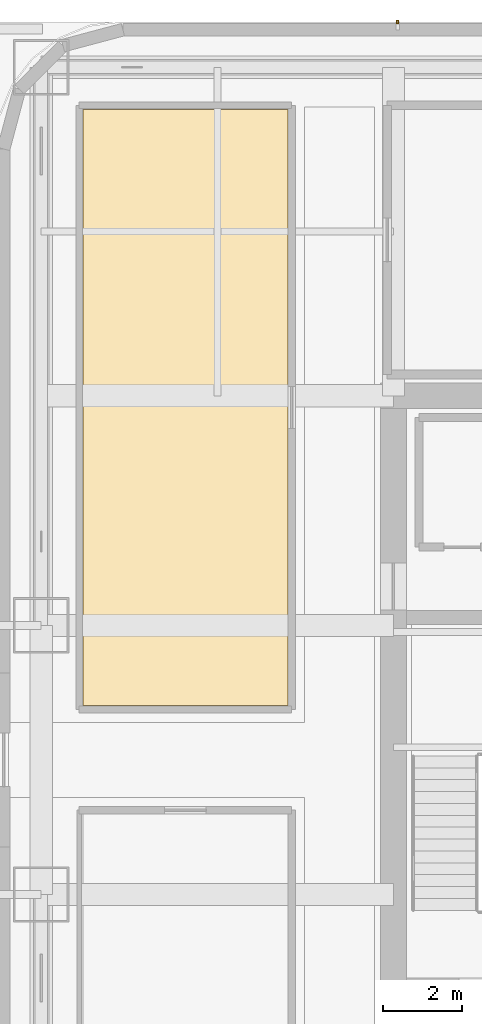
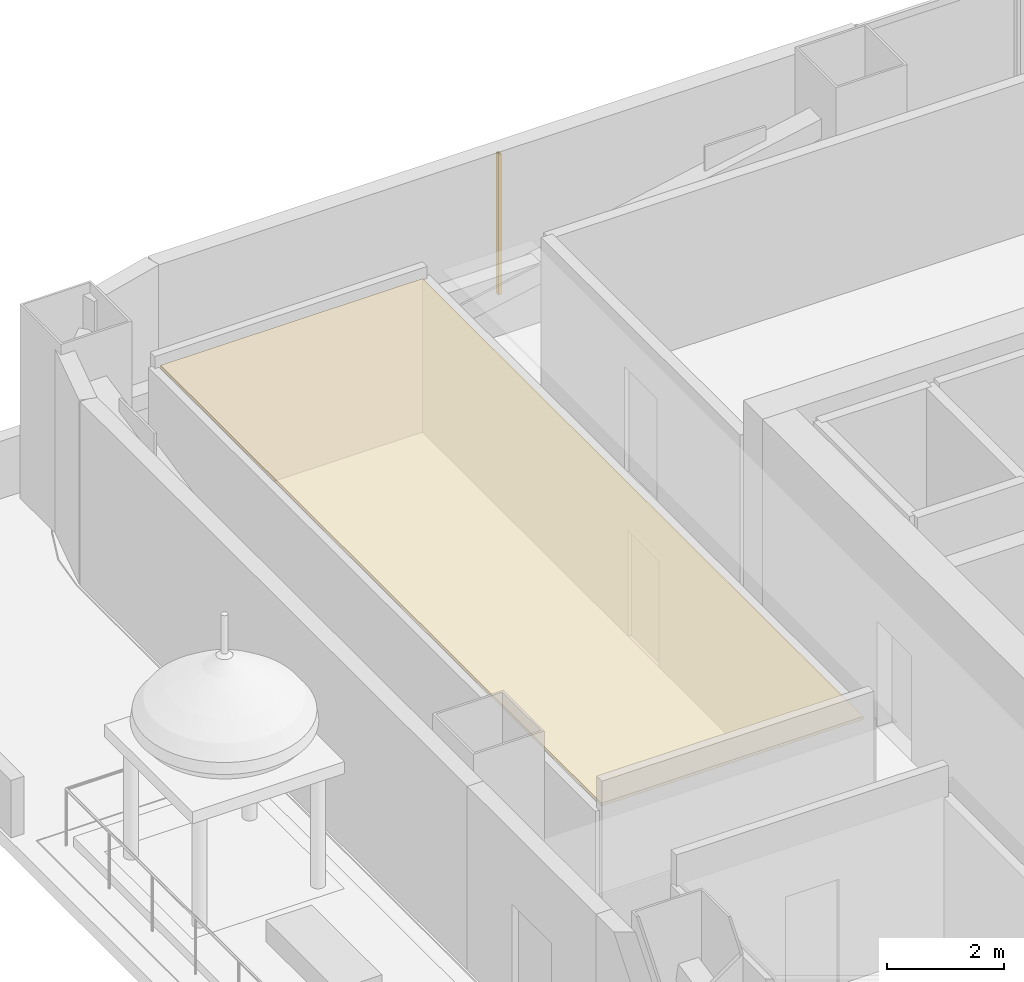
# One storey, part 25 of 27: 1 covering, 1 shading device.
"""IFC4 building model written with IfcOpenShell, lengths in metres."""

from ifc_helpers import new_model, si_unit, direction, frame, origin, origin_2d, place, context, subcontext, project, spatial, polyline, hollow_rectangle, outline, extrude, material, layer, layer_set, material_profile, profile_set, type_object, element, save


model = new_model("IFC4")

# Units and contexts
model_context = context("Model", 3, precision=1e-05, world=origin(), true_north=direction((0.0, 1.0)))
body_context = subcontext(model_context, "Body", "Model", "MODEL_VIEW")
ifc_project = project(units=[si_unit("LENGTHUNIT", "METRE"), si_unit("AREAUNIT", "SQUARE_METRE"), si_unit("VOLUMEUNIT", "CUBIC_METRE"), si_unit("PLANEANGLEUNIT", "RADIAN"), si_unit("MASSUNIT", "GRAM", prefix="KILO")], contexts=[model_context])

# Site, building, storey
site_placement = place(None, origin())
site = spatial("IfcSite", under=ifc_project, at=site_placement, CompositionType="ELEMENT")
building_placement = place(site_placement, origin())
building = spatial("IfcBuilding", under=site, at=building_placement, Name="Punatoya Terracotta Tower", CompositionType="ELEMENT")
storey_placement = place(building_placement, frame((0.0, 0.0, 204.60009765625)))
storey = spatial("IfcBuildingStorey", under=building, at=storey_placement, Name="L48", CompositionType="ELEMENT", Elevation=204.60009765625)

# Covering
ifc_material_1 = material(Name="Acoustic Mineral Fibre Ceiling")
ifc_layer = layer(ifc_material_1, 0.06005859375)
ifc_layer_set = layer_set([ifc_layer], Name="Acoustic Mineral Fibre Ceiling")
covering_type = type_object("IfcCoveringType", Name="COV-CEIL-60", PredefinedType="CEILING", material=ifc_layer_set)
covering_placement = place(storey_placement, frame((0.0, 0.0, 3.159912109375)))
element("IfcCovering", 1, at=covering_placement, inside=storey, type_object=covering_type, Name="L48 Hospitality Tea Pantry Acoustic Ceiling", PredefinedType="CEILING", context=body_context, shape_type="SweptSolid", body=[
    extrude(outline(polyline([(-12.8701171875, 16.43994140625), (-18.0400390625, 16.43994140625), (-18.0400390625, 1.3701171875), (-12.8701171875, 1.3701171875), (-12.8701171875, 16.43994140625)])), origin(), (0.0, 0.0, 1.0), 0.06005859375),
])

# Shading device
ifc_material_2 = material(Name="Architectural Fired Terracotta", Category="masonry")
ifc_material_profile = material_profile(ifc_material_2, hollow_rectangle(XDim=0.06005859375, YDim=0.090087890625, WallThickness=0.013916015625, at=origin_2d()))
ifc_profile_set = profile_set([ifc_material_profile], Name="Architectural Fired Terracotta")
shading_device_type = type_object("IfcShadingDeviceType", Name="SHD-JALI-90", PredefinedType="JALOUSIE", material=ifc_profile_set)
shading_device_placement = place(storey_placement, frame((-10.093505859375, 18.64990234375, 0.599853515625), z_axis=(0.0, 0.0, 1.0), x_axis=(1.0, 0.0, 0.0)))
element("IfcShadingDevice", 2, at=shading_device_placement, inside=storey, type_object=shading_device_type, Name="L48 Braced Bay Terracotta Jali Fin N2", PredefinedType="JALOUSIE", context=body_context, shape_type="SweptSolid", body=[
    extrude(hollow_rectangle(XDim=0.06005859375, YDim=0.090087890625, WallThickness=0.013916015625, at=origin_2d()), origin(), (0.0, 0.0, 1.0), 2.929931640625),
])

save(model, "model.ifc")
